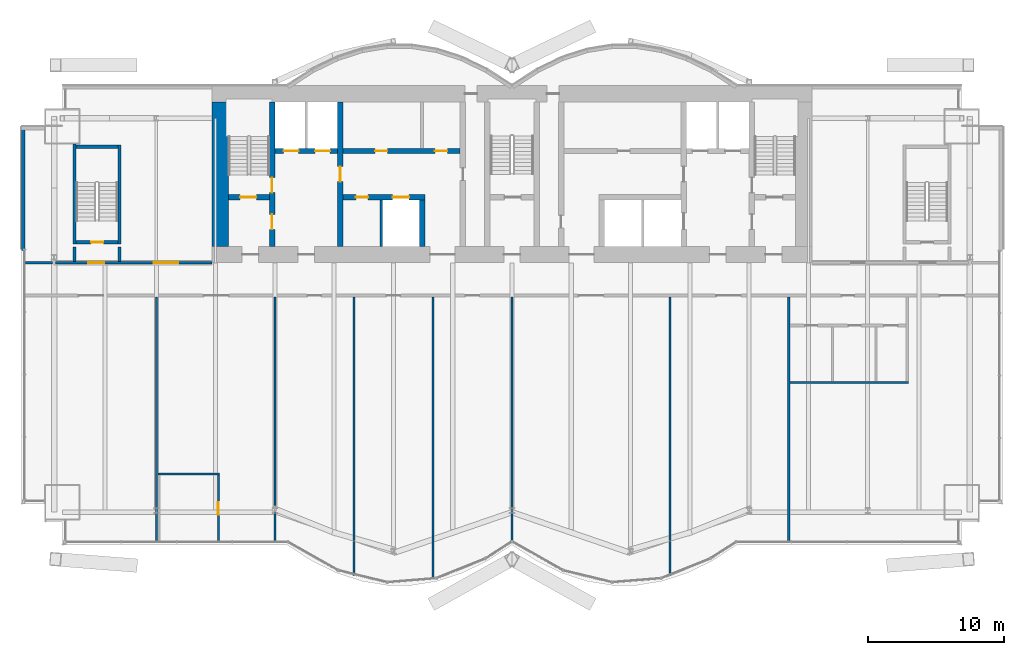
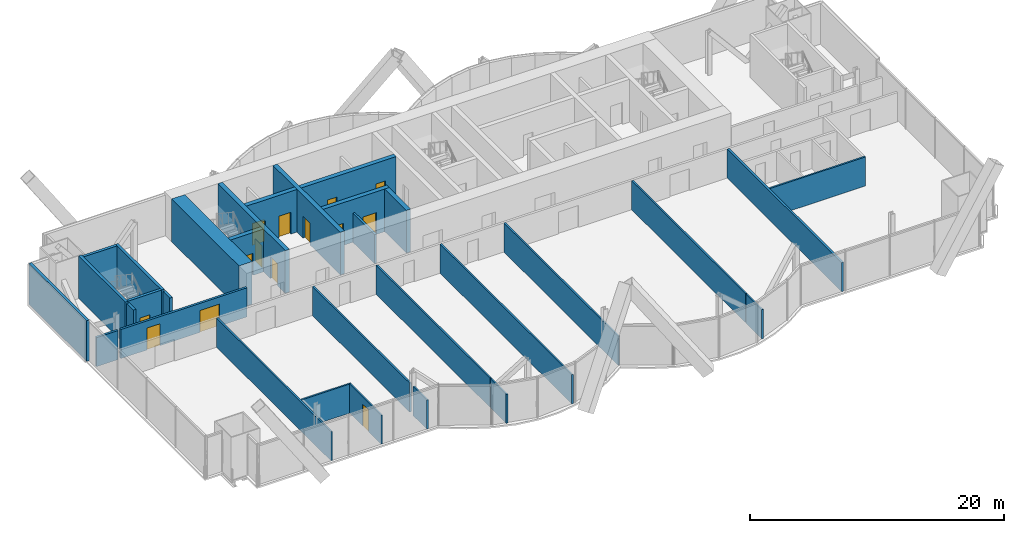
# One storey, part 15 of 21: 30 walls, 14 doors, 14 openings.
"""IFC4 building model written with IfcOpenShell, lengths in metres."""

from ifc_helpers import new_model, si_unit, direction, frame, frame_2d, origin, place, context, subcontext, project, spatial, rectangle, extrude, material, layer, layer_set, layer_usage, type_object, element, fill, save


model = new_model("IFC4")

# Units and contexts
model_context = context("Model", 3, precision=1e-05, world=origin(), true_north=direction((0.0, 1.0)))
body_context = subcontext(model_context, "Body", "Model", "MODEL_VIEW")
ifc_project = project(units=[si_unit("LENGTHUNIT", "METRE"), si_unit("AREAUNIT", "SQUARE_METRE"), si_unit("VOLUMEUNIT", "CUBIC_METRE"), si_unit("PLANEANGLEUNIT", "RADIAN"), si_unit("MASSUNIT", "GRAM", prefix="KILO")], contexts=[model_context])

# Site, building, storey
site_placement = place(None, origin())
site = spatial("IfcSite", under=ifc_project, at=site_placement, CompositionType="ELEMENT")
building_placement = place(site_placement, origin())
building = spatial("IfcBuilding", under=site, at=building_placement, Name="Bicima Exchange Tower", CompositionType="ELEMENT")
storey_placement = place(building_placement, frame((0.0, 0.0, 181.39990234375)))
storey = spatial("IfcBuildingStorey", under=building, at=storey_placement, Name="L40", CompositionType="ELEMENT", Elevation=181.39990234375)

# Walls
ifc_material_1 = material(Name="Gypsum board partition")
ifc_layer_1 = layer(ifc_material_1, 0.199951171875)
ifc_layer_set_1 = layer_set([ifc_layer_1], Name="Gypsum board partition")
wall_type_1 = type_object("IfcWallType", Name="Fire-rated gypsum partition 200 EI120", PredefinedType="PARTITIONING", material=ifc_layer_set_1)
wall_1_placement = place(storey_placement, frame((-9.60009765625, -11.800048828125, 0.0), z_axis=(0.0, 0.0, 1.0), x_axis=(0.0, 1.0, 0.0)))
element("IfcWall", 1, at=wall_1_placement, inside=storey, type_object=wall_type_1, Name="partition wall 11", PredefinedType="PARTITIONING", context=body_context, shape_type="SweptSolid", body=[
    extrude(rectangle(XDim=3.400146484375, YDim=0.199951171875, at=frame_2d((1.7001953125, 0.0))), origin(), (0.0, 0.0, 1.0), 2.790283203125),
])
ifc_layer_2 = layer(ifc_material_1, 0.199951171875)
ifc_layer_set_2 = layer_set([ifc_layer_2], Name="Gypsum board partition")
wall_type_2 = type_object("IfcWallType", Name="Fire-rated gypsum partition 200 EI60", PredefinedType="PARTITIONING", material=ifc_layer_set_2)
wall_2_placement = place(storey_placement, frame((-35.679931640625, -13.0, 0.0), z_axis=(0.0, 0.0, 1.0), x_axis=(1.0, 0.0, 0.0)))
element("IfcWall", 2, at=wall_2_placement, inside=storey, type_object=wall_type_2, Name="partition wall 5", PredefinedType="PARTITIONING", context=body_context, shape_type="SweptSolid", body=[
    extrude(rectangle(XDim=1.9599609375, YDim=0.199951171875, at=frame_2d((0.97998046875, 0.0))), origin(), (0.0, 0.0, 1.0), 2.790283203125),
])

# Wall, openings, doors
wall_3_placement = place(storey_placement, frame((-33.47998046875, -13.0, 0.0), z_axis=(0.0, 0.0, 1.0), x_axis=(1.0, 0.0, 0.0)))
wall_3 = element("IfcWall", 3, at=wall_3_placement, inside=storey, type_object=wall_type_2, Name="partition wall 6", PredefinedType="PARTITIONING", context=body_context, shape_type="SweptSolid", body=[
    extrude(rectangle(XDim=11.47998046875, YDim=0.199951171875, at=frame_2d((5.739990234375, 0.0))), origin(), (0.0, 0.0, 1.0), 2.790283203125),
])
opening_1_placement = place(wall_3_placement, frame((2.3798828125, 0.0, 0.0)))
opening_1 = element("IfcOpeningElement", 4, at=opening_1_placement, cuts=wall_3, Name="Opening L40-001", PredefinedType="OPENING", context=body_context, shape_type="SweptSolid", body=[
    extrude(rectangle(XDim=1.199951171875, YDim=2.10009765625, at=frame_2d((0.60009765625, 1.050048828125))), frame((0.0, 0.11181640625, 0.0), z_axis=(0.0, -1.0, 0.0), x_axis=(1.0, 0.0, 0.0)), (0.0, 0.0, 1.0), 0.223876953125),
])
opening_2_placement = place(wall_3_placement, frame((7.179931640625, 0.0, 0.0)))
opening_2 = element("IfcOpeningElement", 5, at=opening_2_placement, cuts=wall_3, Name="Opening L40-005", PredefinedType="OPENING", context=body_context, shape_type="SweptSolid", body=[
    extrude(rectangle(XDim=1.800048828125, YDim=2.10009765625, at=frame_2d((0.89990234375, 1.050048828125))), frame((0.0, 0.11181640625, 0.0), z_axis=(0.0, -1.0, 0.0), x_axis=(1.0, 0.0, 0.0)), (0.0, 0.0, 1.0), 0.223876953125),
])
ifc_material_2 = material(Name="Steel fire door leaf", Category="steel")
door_type_1 = type_object("IfcDoorType", Name="Door 1200 swing FD30S", OperationType="SINGLE_SWING_LEFT", PredefinedType="DOOR", material=ifc_material_2)
door_1_placement = place(opening_1_placement, origin())
door_1 = element("IfcDoor", 6, at=door_1_placement, inside=storey, type_object=door_type_1, Name="Door", OperationType="SINGLE_SWING_LEFT", OverallHeight=2.10009765625, OverallWidth=1.199951171875, PredefinedType="DOOR", context=body_context, shape_type="SweptSolid", body=[
    extrude(rectangle(XDim=1.199951171875, YDim=2.10009765625, at=frame_2d((0.60009765625, 1.050048828125))), frame((0.0, 0.02490234375, 0.0), z_axis=(0.0, -1.0, 0.0), x_axis=(1.0, 0.0, 0.0)), (0.0, 0.0, 1.0), 0.050048828125),
])
fill(opening_1, door_1)
door_type_2 = type_object("IfcDoorType", Name="Door 1800 double swing FD30S", OperationType="DOUBLE_DOOR_SINGLE_SWING", PredefinedType="DOOR", material=ifc_material_2)
door_2_placement = place(opening_2_placement, origin())
door_2 = element("IfcDoor", 7, at=door_2_placement, inside=storey, type_object=door_type_2, Name="Door", OperationType="SINGLE_SWING_LEFT", OverallHeight=2.10009765625, OverallWidth=1.800048828125, PredefinedType="DOOR", context=body_context, shape_type="SweptSolid", body=[
    extrude(rectangle(XDim=1.800048828125, YDim=2.10009765625, at=frame_2d((0.89990234375, 1.050048828125))), frame((0.0, 0.02490234375, 0.0), z_axis=(0.0, -1.0, 0.0), x_axis=(1.0, 0.0, 0.0)), (0.0, 0.0, 1.0), 0.050048828125),
])
fill(opening_2, door_2)

# Walls
wall_4_placement = place(storey_placement, frame((20.300048828125, -33.489990234375, 0.0), z_axis=(0.0, 0.0, 1.0), x_axis=(0.0, 1.0, 0.0)))
element("IfcWall", 8, at=wall_4_placement, inside=storey, type_object=wall_type_2, Name="partition wall 26", PredefinedType="PARTITIONING", context=body_context, shape_type="SweptSolid", body=[
    extrude(rectangle(XDim=17.989990234375, YDim=0.199951171875, at=frame_2d((8.9951171875, 0.0))), origin(), (0.0, 0.0, 1.0), 2.790283203125),
])
ifc_layer_3 = layer(ifc_material_1, 0.14990234375)
ifc_layer_set_3 = layer_set([ifc_layer_3], Name="Gypsum board partition")
wall_type_3 = type_object("IfcWallType", Name="Gypsum partition 150", PredefinedType="PARTITIONING", material=ifc_layer_set_3)
wall_5_placement = place(storey_placement, frame((-25.97509765625, -28.489990234375, 0.0), z_axis=(0.0, 0.0, 1.0), x_axis=(1.0, 0.0, 0.0)))
element("IfcWall", 9, at=wall_5_placement, inside=storey, type_object=wall_type_3, Name="partition wall 1", PredefinedType="PARTITIONING", context=body_context, shape_type="SweptSolid", body=[
    extrude(rectangle(XDim=4.5, YDim=0.14990234375, at=frame_2d((2.25, 0.0))), origin(), (0.0, 0.0, 1.0), 2.790283203125),
])
wall_6_placement = place(storey_placement, frame((20.39990234375, -21.800048828125, 0.0), z_axis=(0.0, 0.0, 1.0), x_axis=(1.0, 0.0, 0.0)))
element("IfcWall", 10, at=wall_6_placement, inside=storey, type_object=wall_type_3, Name="partition wall 2", PredefinedType="PARTITIONING", context=body_context, shape_type="SweptSolid", body=[
    extrude(rectangle(XDim=8.7001953125, YDim=0.14990234375, at=frame_2d((4.35009765625, 0.0))), origin(), (0.0, 0.0, 1.0), 2.790283203125),
])
wall_7_placement = place(storey_placement, frame((-26.10009765625, -33.489990234375, 0.0), z_axis=(0.0, 0.0, 1.0), x_axis=(0.0, 1.0, 0.0)))
element("IfcWall", 11, at=wall_7_placement, inside=storey, type_object=wall_type_3, Name="partition wall 15", PredefinedType="PARTITIONING", context=body_context, shape_type="SweptSolid", body=[
    extrude(rectangle(XDim=17.989990234375, YDim=0.14990234375, at=frame_2d((8.9951171875, 0.0))), origin(), (0.0, 0.0, 1.0), 2.790283203125),
])

# Wall, opening, door
wall_8_placement = place(storey_placement, frame((-21.550048828125, -33.489990234375, 0.0), z_axis=(0.0, 0.0, 1.0), x_axis=(0.0, 1.0, 0.0)))
wall_8 = element("IfcWall", 12, at=wall_8_placement, inside=storey, type_object=wall_type_3, Name="partition wall 17", PredefinedType="PARTITIONING", context=body_context, shape_type="SweptSolid", body=[
    extrude(rectangle(XDim=4.925048828125, YDim=0.14990234375, at=frame_2d((2.46240234375, 0.0))), origin(), (0.0, 0.0, 1.0), 2.790283203125),
])
opening_3_placement = place(wall_8_placement, frame((2.0, 0.0, 0.0)))
opening_3 = element("IfcOpeningElement", 13, at=opening_3_placement, cuts=wall_8, Name="Opening L40-019", PredefinedType="OPENING", context=body_context, shape_type="SweptSolid", body=[
    extrude(rectangle(XDim=0.89990234375, YDim=2.10009765625, at=frame_2d((0.449951171875, 1.050048828125))), frame((0.0, 0.0869140625, 0.0), z_axis=(0.0, -1.0, 0.0), x_axis=(1.0, 0.0, 0.0)), (0.0, 0.0, 1.0), 0.173828125),
])
ifc_material_3 = material(Name="Timber door leaf", Category="wood")
door_type_3 = type_object("IfcDoorType", Name="Door 900 swing", OperationType="SINGLE_SWING_LEFT", PredefinedType="DOOR", material=ifc_material_3)
door_3_placement = place(opening_3_placement, origin())
door_3 = element("IfcDoor", 14, at=door_3_placement, inside=storey, type_object=door_type_3, Name="Door", OperationType="SINGLE_SWING_LEFT", OverallHeight=2.10009765625, OverallWidth=0.89990234375, PredefinedType="DOOR", context=body_context, shape_type="SweptSolid", body=[
    extrude(rectangle(XDim=0.89990234375, YDim=2.10009765625, at=frame_2d((0.449951171875, 1.050048828125))), frame((0.0, 0.02490234375, 0.0), z_axis=(0.0, -1.0, 0.0), x_axis=(1.0, 0.0, 0.0)), (0.0, 0.0, 1.0), 0.050048828125),
])
fill(opening_3, door_3)

# Walls
wall_9_placement = place(storey_placement, frame((-17.39990234375, -33.489990234375, 0.0), z_axis=(0.0, 0.0, 1.0), x_axis=(0.0, 1.0, 0.0)))
element("IfcWall", 15, at=wall_9_placement, inside=storey, type_object=wall_type_3, Name="partition wall 18", PredefinedType="PARTITIONING", context=body_context, shape_type="SweptSolid", body=[
    extrude(rectangle(XDim=2.18603515625, YDim=0.14990234375, at=frame_2d((1.093017578125, 0.0))), origin(), (0.0, 0.0, 1.0), 2.790283203125),
])
wall_10_placement = place(storey_placement, frame((-17.39990234375, -30.816162109375, 0.0), z_axis=(0.0, 0.0, 1.0), x_axis=(0.0, 1.0, 0.0)))
element("IfcWall", 16, at=wall_10_placement, inside=storey, type_object=wall_type_3, Name="partition wall 19", PredefinedType="PARTITIONING", context=body_context, shape_type="SweptSolid", body=[
    extrude(rectangle(XDim=15.316162109375, YDim=0.14990234375, at=frame_2d((7.658203125, 0.0))), origin(), (0.0, 0.0, 1.0), 2.790283203125),
])
wall_11_placement = place(storey_placement, frame((-11.60009765625, -35.9599609375, 0.0), z_axis=(0.0, 0.0, 1.0), x_axis=(0.0, 1.0, 0.0)))
element("IfcWall", 17, at=wall_11_placement, inside=storey, type_object=wall_type_3, Name="partition wall 20", PredefinedType="PARTITIONING", context=body_context, shape_type="SweptSolid", body=[
    extrude(rectangle(XDim=2.505859375, YDim=0.14990234375, at=frame_2d((1.2529296875, 0.0))), origin(), (0.0, 0.0, 1.0), 2.790283203125),
])
wall_12_placement = place(storey_placement, frame((-11.60009765625, -33.39111328125, 0.0), z_axis=(0.0, 0.0, 1.0), x_axis=(0.0, 1.0, 0.0)))
element("IfcWall", 18, at=wall_12_placement, inside=storey, type_object=wall_type_3, Name="partition wall 21", PredefinedType="PARTITIONING", context=body_context, shape_type="SweptSolid", body=[
    extrude(rectangle(XDim=17.89111328125, YDim=0.14990234375, at=frame_2d((8.945556640625, 0.0))), origin(), (0.0, 0.0, 1.0), 2.790283203125),
])
wall_13_placement = place(storey_placement, frame((-5.800048828125, -36.2099609375, 0.0), z_axis=(0.0, 0.0, 1.0), x_axis=(0.0, 1.0, 0.0)))
element("IfcWall", 19, at=wall_13_placement, inside=storey, type_object=wall_type_3, Name="partition wall 22", PredefinedType="PARTITIONING", context=body_context, shape_type="SweptSolid", body=[
    extrude(rectangle(XDim=20.7099609375, YDim=0.14990234375, at=frame_2d((10.35498046875, 0.0))), origin(), (0.0, 0.0, 1.0), 2.790283203125),
])
wall_14_placement = place(storey_placement, frame((0.0, -33.449951171875, 0.0), z_axis=(0.0, 0.0, 1.0), x_axis=(0.0, 1.0, 0.0)))
element("IfcWall", 20, at=wall_14_placement, inside=storey, type_object=wall_type_3, Name="partition wall 23", PredefinedType="PARTITIONING", context=body_context, shape_type="SweptSolid", body=[
    extrude(rectangle(XDim=17.949951171875, YDim=0.14990234375, at=frame_2d((8.97509765625, 0.0))), origin(), (0.0, 0.0, 1.0), 2.790283203125),
])
wall_15_placement = place(storey_placement, frame((11.60009765625, -35.9599609375, 0.0), z_axis=(0.0, 0.0, 1.0), x_axis=(0.0, 1.0, 0.0)))
element("IfcWall", 21, at=wall_15_placement, inside=storey, type_object=wall_type_3, Name="partition wall 24", PredefinedType="PARTITIONING", context=body_context, shape_type="SweptSolid", body=[
    extrude(rectangle(XDim=2.505859375, YDim=0.14990234375, at=frame_2d((1.2529296875, 0.0))), origin(), (0.0, 0.0, 1.0), 2.790283203125),
])
wall_16_placement = place(storey_placement, frame((11.60009765625, -33.39111328125, 0.0), z_axis=(0.0, 0.0, 1.0), x_axis=(0.0, 1.0, 0.0)))
element("IfcWall", 22, at=wall_16_placement, inside=storey, type_object=wall_type_3, Name="partition wall 25", PredefinedType="PARTITIONING", context=body_context, shape_type="SweptSolid", body=[
    extrude(rectangle(XDim=17.89111328125, YDim=0.14990234375, at=frame_2d((8.945556640625, 0.0))), origin(), (0.0, 0.0, 1.0), 2.790283203125),
])
ifc_material_4 = material(Name="Concrete C50/60", Category="concrete")
ifc_layer_4 = layer(ifc_material_4, 1.199951171875)
ifc_layer_set_4 = layer_set([ifc_layer_4], Name="Concrete C50/60")
wall_type_4 = type_object("IfcWallType", Name="RC core wall 1200 C50/60", PredefinedType="SHEAR", material=ifc_layer_set_4)
wall_17_placement = place(storey_placement, frame((-21.39990234375, -11.800048828125, 0.0), z_axis=(0.0, 0.0, 1.0), x_axis=(0.0, 1.0, 0.0)))
element("IfcWall", 23, at=wall_17_placement, inside=storey, type_object=wall_type_4, Name="Core wall west", PredefinedType="SHEAR", context=body_context, shape_type="SweptSolid", body=[
    extrude(rectangle(XDim=10.60009765625, YDim=1.199951171875, at=frame_2d((5.300048828125, 0.0))), origin(), (0.0, 0.0, 1.0), 4.10009765625),
])
ifc_layer_5 = layer(ifc_material_4, 0.25)
ifc_layer_set_5 = layer_set([ifc_layer_5], Name="Concrete C50/60")
wall_type_5 = type_object("IfcWallType", Name="RC core wall 250 C50/60", PredefinedType="SHEAR", material=ifc_layer_set_5)
for number, where, z_axis, x_axis, name in (
    (24, (-32.10009765625, -12.89990234375, 0.0), (0.0, 0.0, 1.0), (0.0, 1.0, 0.0), "stair wall 13"),
    (25, (-28.800048828125, -12.89990234375, 0.0), (0.0, 0.0, 1.0), (0.0, 1.0, 0.0), "stair wall 14"),
):
    element("IfcWall", number, at=place(storey_placement, frame(where, z_axis=z_axis, x_axis=x_axis)), inside=storey, type_object=wall_type_5, Name=name, PredefinedType="SHEAR", context=body_context, shape_type="SweptSolid", body=[
        extrude(rectangle(XDim=1.0498046875, YDim=0.25, at=frame_2d((0.52490234375, 0.0))), origin(), (0.0, 0.0, 1.0), 4.10009765625),
    ])

# Wall, opening, door
ifc_layer_6 = layer(ifc_material_4, 0.39990234375)
ifc_layer_set_6 = layer_set([ifc_layer_6], Name="Concrete C50/60")
wall_type_6 = type_object("IfcWallType", Name="RC core wall 400 C50/60", PredefinedType="SHEAR", material=ifc_layer_set_6)
wall_18_placement = place(storey_placement, frame((-20.800048828125, -8.199951171875, 0.0), z_axis=(0.0, 0.0, 1.0), x_axis=(1.0, 0.0, 0.0)))
wall_18 = element("IfcWall", 26, at=wall_18_placement, inside=storey, type_object=wall_type_6, Name="stair wall 1", PredefinedType="SHEAR", context=body_context, shape_type="SweptSolid", body=[
    extrude(rectangle(XDim=3.0, YDim=0.39990234375, at=frame_2d((1.5, 0.0))), origin(), (0.0, 0.0, 1.0), 4.10009765625),
])
opening_4_placement = place(wall_18_placement, frame((0.85009765625, 0.0, 0.0)))
opening_4 = element("IfcOpeningElement", 27, at=opening_4_placement, cuts=wall_18, Name="Opening L40-C01", PredefinedType="OPENING", context=body_context, shape_type="SweptSolid", body=[
    extrude(rectangle(XDim=1.199951171875, YDim=2.10009765625, at=frame_2d((0.60009765625, 1.050048828125))), frame((0.0, 0.2119140625, 0.0), z_axis=(0.0, -1.0, 0.0), x_axis=(1.0, 0.0, 0.0)), (0.0, 0.0, 1.0), 0.423828125),
])
door_type_4 = type_object("IfcDoorType", Name="Door 1200 swing FD60S", OperationType="SINGLE_SWING_LEFT", PredefinedType="DOOR", material=ifc_material_2)
door_4_placement = place(opening_4_placement, origin())
door_4 = element("IfcDoor", 28, at=door_4_placement, inside=storey, type_object=door_type_4, Name="Core door", OperationType="SINGLE_SWING_LEFT", OverallHeight=2.10009765625, OverallWidth=1.199951171875, PredefinedType="DOOR", context=body_context, shape_type="SweptSolid", body=[
    extrude(rectangle(XDim=1.199951171875, YDim=2.10009765625, at=frame_2d((0.60009765625, 1.050048828125))), frame((0.0, 0.02490234375, 0.0), z_axis=(0.0, -1.0, 0.0), x_axis=(1.0, 0.0, 0.0)), (0.0, 0.0, 1.0), 0.050048828125),
])
fill(opening_4, door_4)

# Wall, openings, doors
wall_19_placement = place(storey_placement, frame((-12.39990234375, -8.199951171875, 0.0), z_axis=(0.0, 0.0, 1.0), x_axis=(1.0, 0.0, 0.0)))
wall_19 = element("IfcWall", 29, at=wall_19_placement, inside=storey, type_object=wall_type_6, Name="shear wall 2", PredefinedType="SHEAR", context=body_context, shape_type="SweptSolid", body=[
    extrude(rectangle(XDim=6.0, YDim=0.39990234375, at=frame_2d((3.0, 0.0))), origin(), (0.0, 0.0, 1.0), 4.10009765625),
])
opening_5_placement = place(wall_19_placement, frame((3.64990234375, 0.0, 0.0)))
opening_5 = element("IfcOpeningElement", 30, at=opening_5_placement, cuts=wall_19, Name="Opening LD-MB1-L40", PredefinedType="OPENING", context=body_context, shape_type="SweptSolid", body=[
    extrude(rectangle(XDim=1.199951171875, YDim=2.10009765625, at=frame_2d((0.60009765625, 1.050048828125))), frame((0.0, 0.2119140625, 0.0), z_axis=(0.0, -1.0, 0.0), x_axis=(1.0, 0.0, 0.0)), (0.0, 0.0, 1.0), 0.423828125),
])
opening_6_placement = place(wall_19_placement, frame((0.949951171875, 0.0, 0.0)))
opening_6 = element("IfcOpeningElement", 31, at=opening_6_placement, cuts=wall_19, Name="Opening L40-C15", PredefinedType="OPENING", context=body_context, shape_type="SweptSolid", body=[
    extrude(rectangle(XDim=0.89990234375, YDim=2.10009765625, at=frame_2d((0.449951171875, 1.050048828125))), frame((0.0, 0.2119140625, 0.0), z_axis=(0.0, -1.0, 0.0), x_axis=(1.0, 0.0, 0.0)), (0.0, 0.0, 1.0), 0.423828125),
])
door_type_5 = type_object("IfcDoorType", Name="Door 900 swing FD30S", OperationType="SINGLE_SWING_LEFT", PredefinedType="DOOR", material=ifc_material_2)
door_5_placement = place(opening_6_placement, frame((0.89990234375, 0.0, 0.0), z_axis=(0.0, 0.0, 1.0), x_axis=(-1.0, 0.0, 0.0)))
door_5 = element("IfcDoor", 32, at=door_5_placement, inside=storey, type_object=door_type_5, Name="Core door", OperationType="SINGLE_SWING_RIGHT", OverallHeight=2.10009765625, OverallWidth=0.89990234375, PredefinedType="DOOR", context=body_context, shape_type="SweptSolid", body=[
    extrude(rectangle(XDim=0.89990234375, YDim=2.10009765625, at=frame_2d((0.449951171875, 1.050048828125))), frame((0.0, 0.02490234375, 0.0), z_axis=(0.0, -1.0, 0.0), x_axis=(1.0, 0.0, 0.0)), (0.0, 0.0, 1.0), 0.050048828125),
])
fill(opening_6, door_5)
ifc_material_5 = material(Name="Stainless steel", Category="steel")
door_type_6 = type_object("IfcDoorType", Name="Lift landing door 1200 sliding", OperationType="DOUBLE_DOOR_SLIDING", PredefinedType="DOOR", material=ifc_material_5)
door_6_placement = place(opening_5_placement, origin())
door_6 = element("IfcDoor", 33, at=door_6_placement, inside=storey, type_object=door_type_6, Name="Lift landing door MB1", OperationType="DOUBLE_DOOR_SLIDING", OverallHeight=2.10009765625, OverallWidth=1.199951171875, PredefinedType="DOOR", context=body_context, shape_type="SweptSolid", body=[
    extrude(rectangle(XDim=1.199951171875, YDim=2.10009765625, at=frame_2d((0.60009765625, 1.050048828125))), frame((0.0, 0.02490234375, 0.0), z_axis=(0.0, -1.0, 0.0), x_axis=(1.0, 0.0, 0.0)), (0.0, 0.0, 1.0), 0.050048828125),
])
fill(opening_5, door_6)

wall_20_placement = place(storey_placement, frame((-17.39990234375, -4.800048828125, 0.0), z_axis=(0.0, 0.0, 1.0), x_axis=(1.0, 0.0, 0.0)))
wall_20 = element("IfcWall", 34, at=wall_20_placement, inside=storey, type_object=wall_type_6, Name="shear wall 6", PredefinedType="SHEAR", context=body_context, shape_type="SweptSolid", body=[
    extrude(rectangle(XDim=13.599853515625, YDim=0.39990234375, at=frame_2d((6.7998046875, 0.0))), origin(), (0.0, 0.0, 1.0), 4.10009765625),
])
opening_7_placement = place(wall_20_placement, frame((0.64990234375, 0.0, 0.0)))
opening_7 = element("IfcOpeningElement", 35, at=opening_7_placement, cuts=wall_20, Name="Opening LD-FF1-L40", PredefinedType="OPENING", context=body_context, shape_type="SweptSolid", body=[
    extrude(rectangle(XDim=1.10009765625, YDim=2.10009765625, at=frame_2d((0.550048828125, 1.050048828125))), frame((0.0, 0.2119140625, 0.0), z_axis=(0.0, -1.0, 0.0), x_axis=(1.0, 0.0, 0.0)), (0.0, 0.0, 1.0), 0.423828125),
])
opening_8_placement = place(wall_20_placement, frame((2.949951171875, 0.0, 0.0)))
opening_8 = element("IfcOpeningElement", 36, at=opening_8_placement, cuts=wall_20, Name="Opening LD-FF3-L40", PredefinedType="OPENING", context=body_context, shape_type="SweptSolid", body=[
    extrude(rectangle(XDim=1.10009765625, YDim=2.10009765625, at=frame_2d((0.550048828125, 1.050048828125))), frame((0.0, 0.2119140625, 0.0), z_axis=(0.0, -1.0, 0.0), x_axis=(1.0, 0.0, 0.0)), (0.0, 0.0, 1.0), 0.423828125),
])
opening_9_placement = place(wall_20_placement, frame((7.35009765625, 0.0, 0.0)))
opening_9 = element("IfcOpeningElement", 37, at=opening_9_placement, cuts=wall_20, Name="Opening L40-C12", PredefinedType="OPENING", context=body_context, shape_type="SweptSolid", body=[
    extrude(rectangle(XDim=0.89990234375, YDim=2.10009765625, at=frame_2d((0.449951171875, 1.050048828125))), frame((0.0, 0.2119140625, 0.0), z_axis=(0.0, -1.0, 0.0), x_axis=(1.0, 0.0, 0.0)), (0.0, 0.0, 1.0), 0.423828125),
])
opening_10_placement = place(wall_20_placement, frame((11.75, 0.0, 0.0)))
opening_10 = element("IfcOpeningElement", 38, at=opening_10_placement, cuts=wall_20, Name="Opening L40-C13", PredefinedType="OPENING", context=body_context, shape_type="SweptSolid", body=[
    extrude(rectangle(XDim=0.89990234375, YDim=2.10009765625, at=frame_2d((0.449951171875, 1.050048828125))), frame((0.0, 0.2119140625, 0.0), z_axis=(0.0, -1.0, 0.0), x_axis=(1.0, 0.0, 0.0)), (0.0, 0.0, 1.0), 0.423828125),
])
door_7_placement = place(opening_9_placement, origin())
door_7 = element("IfcDoor", 39, at=door_7_placement, inside=storey, type_object=door_type_5, Name="Core door", OperationType="SINGLE_SWING_RIGHT", OverallHeight=2.10009765625, OverallWidth=0.89990234375, PredefinedType="DOOR", context=body_context, shape_type="SweptSolid", body=[
    extrude(rectangle(XDim=0.89990234375, YDim=2.10009765625, at=frame_2d((0.449951171875, 1.050048828125))), frame((0.0, 0.02490234375, 0.0), z_axis=(0.0, -1.0, 0.0), x_axis=(1.0, 0.0, 0.0)), (0.0, 0.0, 1.0), 0.050048828125),
])
fill(opening_9, door_7)
door_8_placement = place(opening_10_placement, origin())
door_8 = element("IfcDoor", 40, at=door_8_placement, inside=storey, type_object=door_type_5, Name="Core door", OperationType="SINGLE_SWING_LEFT", OverallHeight=2.10009765625, OverallWidth=0.89990234375, PredefinedType="DOOR", context=body_context, shape_type="SweptSolid", body=[
    extrude(rectangle(XDim=0.89990234375, YDim=2.10009765625, at=frame_2d((0.449951171875, 1.050048828125))), frame((0.0, 0.02490234375, 0.0), z_axis=(0.0, -1.0, 0.0), x_axis=(1.0, 0.0, 0.0)), (0.0, 0.0, 1.0), 0.050048828125),
])
fill(opening_10, door_8)
door_type_7 = type_object("IfcDoorType", Name="Lift landing door 1100 sliding", OperationType="DOUBLE_DOOR_SLIDING", PredefinedType="DOOR", material=ifc_material_5)
door_9_placement = place(opening_7_placement, origin())
door_9 = element("IfcDoor", 41, at=door_9_placement, inside=storey, type_object=door_type_7, Name="Lift landing door FF1", OperationType="DOUBLE_DOOR_SLIDING", OverallHeight=2.10009765625, OverallWidth=1.10009765625, PredefinedType="DOOR", context=body_context, shape_type="SweptSolid", body=[
    extrude(rectangle(XDim=1.10009765625, YDim=2.10009765625, at=frame_2d((0.550048828125, 1.050048828125))), frame((0.0, 0.02490234375, 0.0), z_axis=(0.0, -1.0, 0.0), x_axis=(1.0, 0.0, 0.0)), (0.0, 0.0, 1.0), 0.050048828125),
])
fill(opening_7, door_9)
door_10_placement = place(opening_8_placement, origin())
door_10 = element("IfcDoor", 42, at=door_10_placement, inside=storey, type_object=door_type_7, Name="Lift landing door FF3", OperationType="DOUBLE_DOOR_SLIDING", OverallHeight=2.10009765625, OverallWidth=1.10009765625, PredefinedType="DOOR", context=body_context, shape_type="SweptSolid", body=[
    extrude(rectangle(XDim=1.10009765625, YDim=2.10009765625, at=frame_2d((0.550048828125, 1.050048828125))), frame((0.0, 0.02490234375, 0.0), z_axis=(0.0, -1.0, 0.0), x_axis=(1.0, 0.0, 0.0)), (0.0, 0.0, 1.0), 0.050048828125),
])
fill(opening_8, door_10)

wall_21_placement = place(storey_placement, frame((-17.60009765625, -11.800048828125, 0.0), z_axis=(0.0, 0.0, 1.0), x_axis=(0.0, 1.0, 0.0)))
wall_21 = element("IfcWall", 43, at=wall_21_placement, inside=storey, type_object=wall_type_6, Name="stair wall 8", PredefinedType="SHEAR", context=body_context, shape_type="SweptSolid", body=[
    extrude(rectangle(XDim=10.60009765625, YDim=0.39990234375, at=frame_2d((5.300048828125, 0.0))), origin(), (0.0, 0.0, 1.0), 4.10009765625),
])
opening_11_placement = place(wall_21_placement, frame((1.25, 0.0, 0.0)))
opening_11 = element("IfcOpeningElement", 44, at=opening_11_placement, cuts=wall_21, Name="Opening L40-C02", PredefinedType="OPENING", context=body_context, shape_type="SweptSolid", body=[
    extrude(rectangle(XDim=1.10009765625, YDim=2.10009765625, at=frame_2d((0.550048828125, 1.050048828125))), frame((0.0, 0.2119140625, 0.0), z_axis=(0.0, -1.0, 0.0), x_axis=(1.0, 0.0, 0.0)), (0.0, 0.0, 1.0), 0.423828125),
])
opening_12_placement = place(wall_21_placement, frame((3.949951171875, 0.0, 0.0)))
opening_12 = element("IfcOpeningElement", 45, at=opening_12_placement, cuts=wall_21, Name="Opening L40-C06", PredefinedType="OPENING", context=body_context, shape_type="SweptSolid", body=[
    extrude(rectangle(XDim=1.10009765625, YDim=2.10009765625, at=frame_2d((0.550048828125, 1.050048828125))), frame((0.0, 0.2119140625, 0.0), z_axis=(0.0, -1.0, 0.0), x_axis=(1.0, 0.0, 0.0)), (0.0, 0.0, 1.0), 0.423828125),
])
door_type_8 = type_object("IfcDoorType", Name="Door 1100 swing FD60S", OperationType="SINGLE_SWING_LEFT", PredefinedType="DOOR", material=ifc_material_2)
door_11_placement = place(opening_11_placement, frame((1.10009765625, 0.0, 0.0), z_axis=(0.0, 0.0, 1.0), x_axis=(-1.0, 0.0, 0.0)))
door_11 = element("IfcDoor", 46, at=door_11_placement, inside=storey, type_object=door_type_8, Name="Core door", OperationType="SINGLE_SWING_LEFT", OverallHeight=2.10009765625, OverallWidth=1.10009765625, PredefinedType="DOOR", context=body_context, shape_type="SweptSolid", body=[
    extrude(rectangle(XDim=1.10009765625, YDim=2.10009765625, at=frame_2d((0.550048828125, 1.050048828125))), frame((0.0, 0.02490234375, 0.0), z_axis=(0.0, -1.0, 0.0), x_axis=(1.0, 0.0, 0.0)), (0.0, 0.0, 1.0), 0.050048828125),
])
fill(opening_11, door_11)
door_12_placement = place(opening_12_placement, frame((1.10009765625, 0.0, 0.0), z_axis=(0.0, 0.0, 1.0), x_axis=(-1.0, 0.0, 0.0)))
door_12 = element("IfcDoor", 47, at=door_12_placement, inside=storey, type_object=door_type_8, Name="Core door", OperationType="SINGLE_SWING_LEFT", OverallHeight=2.10009765625, OverallWidth=1.10009765625, PredefinedType="DOOR", context=body_context, shape_type="SweptSolid", body=[
    extrude(rectangle(XDim=1.10009765625, YDim=2.10009765625, at=frame_2d((0.550048828125, 1.050048828125))), frame((0.0, 0.02490234375, 0.0), z_axis=(0.0, -1.0, 0.0), x_axis=(1.0, 0.0, 0.0)), (0.0, 0.0, 1.0), 0.050048828125),
])
fill(opening_12, door_12)

# Wall, opening, door
wall_22_placement = place(storey_placement, frame((-12.60009765625, -11.800048828125, 0.0), z_axis=(0.0, 0.0, 1.0), x_axis=(0.0, 1.0, 0.0)))
wall_22 = element("IfcWall", 48, at=wall_22_placement, inside=storey, type_object=wall_type_6, Name="shear wall 10", PredefinedType="SHEAR", context=body_context, shape_type="SweptSolid", body=[
    extrude(rectangle(XDim=10.60009765625, YDim=0.39990234375, at=frame_2d((5.300048828125, 0.0))), origin(), (0.0, 0.0, 1.0), 4.10009765625),
])
opening_13_placement = place(wall_22_placement, frame((4.75, 0.0, 0.0)))
opening_13 = element("IfcOpeningElement", 49, at=opening_13_placement, cuts=wall_22, Name="Opening L40-C07", PredefinedType="OPENING", context=body_context, shape_type="SweptSolid", body=[
    extrude(rectangle(XDim=1.10009765625, YDim=2.10009765625, at=frame_2d((0.550048828125, 1.050048828125))), frame((0.0, 0.2119140625, 0.0), z_axis=(0.0, -1.0, 0.0), x_axis=(1.0, 0.0, 0.0)), (0.0, 0.0, 1.0), 0.423828125),
])
door_13_placement = place(opening_13_placement, origin())
door_13 = element("IfcDoor", 50, at=door_13_placement, inside=storey, type_object=door_type_8, Name="Core door", OperationType="SINGLE_SWING_LEFT", OverallHeight=2.10009765625, OverallWidth=1.10009765625, PredefinedType="DOOR", context=body_context, shape_type="SweptSolid", body=[
    extrude(rectangle(XDim=1.10009765625, YDim=2.10009765625, at=frame_2d((0.550048828125, 1.050048828125))), frame((0.0, 0.02490234375, 0.0), z_axis=(0.0, -1.0, 0.0), x_axis=(1.0, 0.0, 0.0)), (0.0, 0.0, 1.0), 0.050048828125),
])
fill(opening_13, door_13)

# Walls
wall_23_placement = place(storey_placement, frame((-6.60009765625, -11.800048828125, 0.0), z_axis=(0.0, 0.0, 1.0), x_axis=(0.0, 1.0, 0.0)))
element("IfcWall", 51, at=wall_23_placement, inside=storey, type_object=wall_type_6, Name="shear wall 12", PredefinedType="SHEAR", context=body_context, shape_type="SweptSolid", body=[
    extrude(rectangle(XDim=3.400146484375, YDim=0.39990234375, at=frame_2d((1.7001953125, 0.0))), origin(), (0.0, 0.0, 1.0), 4.10009765625),
])
ifc_layer_7 = layer(ifc_material_4, 0.25)
ifc_layer_set_7 = layer_set([ifc_layer_7], Name="Concrete C50/60")
wall_type_7 = type_object("IfcWallType", Name="RC stair enclosure wall 250 C50/60", PredefinedType="SHEAR", material=ifc_layer_set_7)
wall_24_placement = place(storey_placement, frame((-32.10009765625, -11.625, 0.0), z_axis=(0.0, 0.0, 1.0), x_axis=(0.0, 1.0, 0.0)))
element("IfcWall", 52, at=wall_24_placement, inside=storey, type_object=wall_type_7, Name="West end exit stair wall W", PredefinedType="SHEAR", context=body_context, shape_type="SweptSolid", body=[
    extrude(rectangle(XDim=7.324951171875, YDim=0.25, at=frame_2d((3.66259765625, 0.0))), origin(), (0.0, 0.0, 1.0), 4.10009765625),
])
wall_25_placement = place(storey_placement, frame((-28.800048828125, -11.625, 0.0), z_axis=(0.0, 0.0, 1.0), x_axis=(0.0, 1.0, 0.0)))
element("IfcWall", 53, at=wall_25_placement, inside=storey, type_object=wall_type_7, Name="West end exit stair wall E", PredefinedType="SHEAR", context=body_context, shape_type="SweptSolid", body=[
    extrude(rectangle(XDim=7.25, YDim=0.25, at=frame_2d((3.625, 0.0))), origin(), (0.0, 0.0, 1.0), 4.10009765625),
])

# Wall, opening, door
wall_26_placement = place(storey_placement, frame((-31.97509765625, -11.5, 0.0), z_axis=(0.0, 0.0, 1.0), x_axis=(1.0, 0.0, 0.0)))
wall_26 = element("IfcWall", 54, at=wall_26_placement, inside=storey, type_object=wall_type_7, Name="West end exit stair wall S", PredefinedType="SHEAR", context=body_context, shape_type="SweptSolid", body=[
    extrude(rectangle(XDim=3.050048828125, YDim=0.25, at=frame_2d((1.52490234375, 0.0))), origin(), (0.0, 0.0, 1.0), 4.10009765625),
])
opening_14_placement = place(wall_26_placement, frame((1.10009765625, 0.0, 0.0)))
opening_14 = element("IfcOpeningElement", 55, at=opening_14_placement, cuts=wall_26, Name="Opening L40-002", PredefinedType="OPENING", context=body_context, shape_type="SweptSolid", body=[
    extrude(rectangle(XDim=0.89990234375, YDim=2.10009765625, at=frame_2d((0.449951171875, 1.050048828125))), frame((0.0, 0.136962890625, 0.0), z_axis=(0.0, -1.0, 0.0), x_axis=(1.0, 0.0, 0.0)), (0.0, 0.0, 1.0), 0.27392578125),
])
door_type_9 = type_object("IfcDoorType", Name="Door 900 swing FD60S", OperationType="SINGLE_SWING_LEFT", PredefinedType="DOOR", material=ifc_material_2)
door_14_placement = place(opening_14_placement, origin())
door_14 = element("IfcDoor", 56, at=door_14_placement, inside=storey, type_object=door_type_9, Name="Door", OperationType="SINGLE_SWING_LEFT", OverallHeight=2.10009765625, OverallWidth=0.89990234375, PredefinedType="DOOR", context=body_context, shape_type="SweptSolid", body=[
    extrude(rectangle(XDim=0.89990234375, YDim=2.10009765625, at=frame_2d((0.449951171875, 1.050048828125))), frame((0.0, 0.02490234375, 0.0), z_axis=(0.0, -1.0, 0.0), x_axis=(1.0, 0.0, 0.0)), (0.0, 0.0, 1.0), 0.050048828125),
])
fill(opening_14, door_14)

# Walls
wall_27_placement = place(storey_placement, frame((-31.97509765625, -4.5, 0.0), z_axis=(0.0, 0.0, 1.0), x_axis=(1.0, 0.0, 0.0)))
element("IfcWall", 57, at=wall_27_placement, inside=storey, type_object=wall_type_7, Name="West end exit stair wall N", PredefinedType="SHEAR", context=body_context, shape_type="SweptSolid", body=[
    extrude(rectangle(XDim=3.050048828125, YDim=0.25, at=frame_2d((1.52490234375, 0.0))), origin(), (0.0, 0.0, 1.0), 4.10009765625),
])
ifc_material_6 = material(Name="Concrete C40/50", Category="concrete")
ifc_layer_8 = layer(ifc_material_6, 0.25)
ifc_layer_set_8 = layer_set([ifc_layer_8], Name="Concrete C40/50")
ifc_layer_usage = layer_usage(ifc_layer_set_8, "AXIS2", "POSITIVE", -0.125)
wall_type_8 = type_object("IfcWallType", Name="Rear backup wall 250", PredefinedType="STANDARD", material=ifc_layer_set_8)
wall_28_placement = place(storey_placement, frame((-35.875, -3.0, 0.0), z_axis=(0.0, 0.0, 1.0), x_axis=(0.0, -1.0, 0.0)))
element("IfcWall", 58, at=wall_28_placement, inside=storey, type_object=wall_type_8, material=ifc_layer_usage, Name="Rear backup wall L40 23", PredefinedType="STANDARD", context=body_context, shape_type="SweptSolid", body=[
    extrude(rectangle(XDim=9.090087890625, YDim=0.25, at=frame_2d((4.544921875, 0.0))), origin(), (0.0, 0.0, 1.0), 3.900146484375),
])

save(model, "model.ifc")
